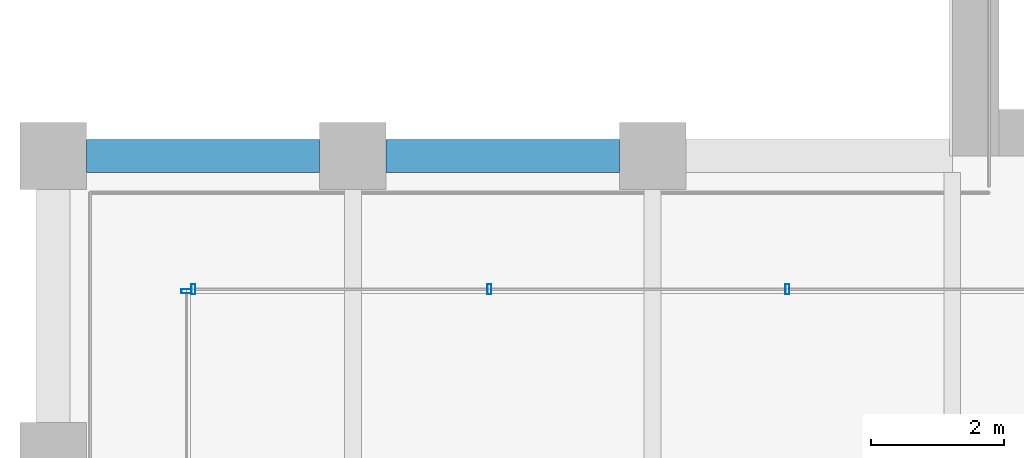
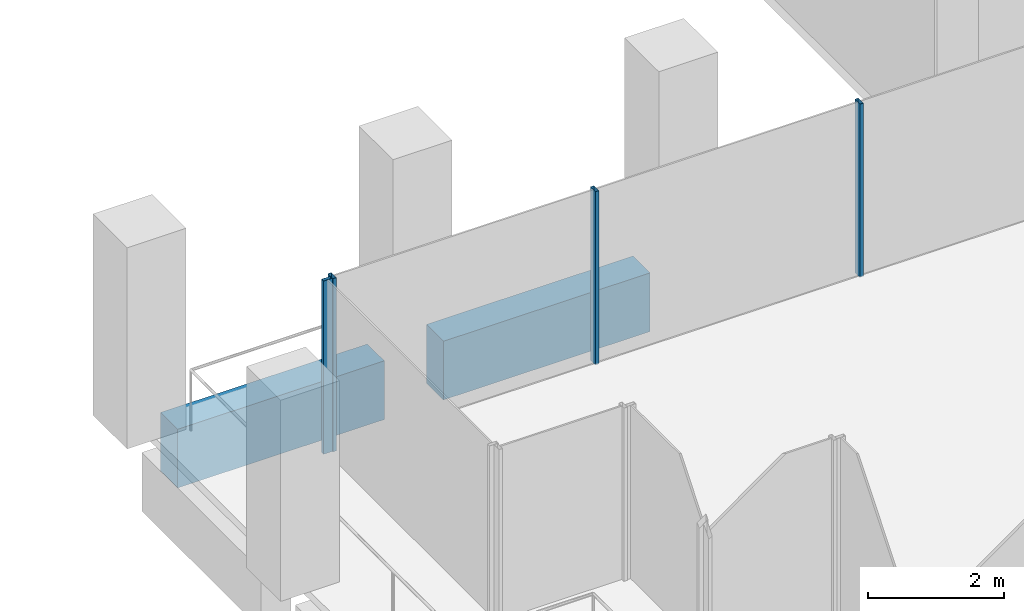
# One storey, part 5 of 46: 4 members, 2 beams, 2 elements without a shape of their own.
"""IFC4 building model written with IfcOpenShell, lengths in metres."""

from ifc_helpers import new_model, si_unit, direction, frame, origin, origin_2d, place, context, subcontext, project, spatial, rectangle, hollow_rectangle, extrude, material, material_profile, profile_set, type_object, element, aggregate, save


model = new_model("IFC4")

# Units and contexts
model_context = context("Model", 3, precision=1e-05, world=origin(), true_north=direction((0.0, 1.0)))
body_context = subcontext(model_context, "Body", "Model", "MODEL_VIEW")
ifc_project = project(units=[si_unit("LENGTHUNIT", "METRE"), si_unit("AREAUNIT", "SQUARE_METRE"), si_unit("VOLUMEUNIT", "CUBIC_METRE"), si_unit("PLANEANGLEUNIT", "RADIAN"), si_unit("MASSUNIT", "GRAM", prefix="KILO")], contexts=[model_context])

# Site, building, storey
site_placement = place(None, origin())
site = spatial("IfcSite", under=ifc_project, at=site_placement, CompositionType="ELEMENT")
building_placement = place(site_placement, origin())
building = spatial("IfcBuilding", under=site, at=building_placement, Name="Altepetl Exchange Towers", CompositionType="ELEMENT")
storey_placement = place(building_placement, frame((0.0, 0.0, 102.800048828125)))
storey = spatial("IfcBuildingStorey", under=building, at=storey_placement, Name="L25", CompositionType="ELEMENT", Elevation=102.800048828125)

# Curtain wall, members
ifc_material_1 = material(Name="Aluminium 6063-T6 glazing", Category="aluminium")
curtain_wall_type = type_object("IfcCurtainWallType", Name="Loggia glazing system", PredefinedType="NOTDEFINED", material=ifc_material_1)
curtain_wall_1_placement = place(storey_placement, origin())
curtain_wall_1 = element("IfcCurtainWall", 1, at=curtain_wall_1_placement, inside=storey, type_object=curtain_wall_type, Name="CW1 run", PredefinedType="NOTDEFINED")
ifc_material_2 = material(Name="Aluminium 6063-T6", Category="aluminium")
ifc_material_profile_1 = material_profile(ifc_material_2, hollow_rectangle(XDim=0.06005859375, YDim=0.14990234375, WallThickness=0.0029296875, at=origin_2d()), Name="Mullion 60x150 aluminium")
ifc_profile_set_1 = profile_set([ifc_material_profile_1], Name="Aluminium 6063-T6")
member_type = type_object("IfcMemberType", Name="Mullion 60x150 aluminium", PredefinedType="MULLION", material=ifc_profile_set_1)
member_1_placement = place(storey_placement, frame((38.02490234375, 38.5, 0.0), z_axis=(0.0, 0.0, 1.0), x_axis=(-1.0, 0.0, 0.0)))
member_1 = element("IfcMember", 2, at=member_1_placement, type_object=member_type, Name="MU1 mullion", PredefinedType="MULLION", context=body_context, shape_type="SweptSolid", body=[
    extrude(hollow_rectangle(XDim=0.06005859375, YDim=0.14990234375, WallThickness=0.0029296875, at=origin_2d()), origin(), (0.0, 0.0, 1.0), 3.099853515625),
])
member_2_placement = place(storey_placement, frame((33.550048828125, 38.5, 0.0), z_axis=(0.0, 0.0, 1.0), x_axis=(-1.0, 0.0, 0.0)))
member_2 = element("IfcMember", 3, at=member_2_placement, type_object=member_type, Name="MU1 mullion", PredefinedType="MULLION", context=body_context, shape_type="SweptSolid", body=[
    extrude(hollow_rectangle(XDim=0.06005859375, YDim=0.14990234375, WallThickness=0.0029296875, at=origin_2d()), origin(), (0.0, 0.0, 1.0), 3.099853515625),
])
member_3_placement = place(storey_placement, frame((29.10498046875, 38.5, 0.0), z_axis=(0.0, 0.0, 1.0), x_axis=(-1.0, 0.0, 0.0)))
member_3 = element("IfcMember", 4, at=member_3_placement, type_object=member_type, Name="MU1 mullion", PredefinedType="MULLION", context=body_context, shape_type="SweptSolid", body=[
    extrude(hollow_rectangle(XDim=0.06005859375, YDim=0.14990234375, WallThickness=0.0029296875, at=origin_2d()), origin(), (0.0, 0.0, 1.0), 3.099853515625),
])
aggregate(curtain_wall_1, [member_1, member_2, member_3])

# Curtain wall, member
curtain_wall_2_placement = place(storey_placement, origin())
curtain_wall_2 = element("IfcCurtainWall", 5, at=curtain_wall_2_placement, inside=storey, type_object=curtain_wall_type, Name="CW1 run", PredefinedType="NOTDEFINED")
member_4_placement = place(storey_placement, frame((29.0, 38.469970703125, 0.0), z_axis=(0.0, 0.0, 1.0), x_axis=(0.0, -1.0, 0.0)))
member_4 = element("IfcMember", 6, at=member_4_placement, type_object=member_type, Name="MU1 mullion", PredefinedType="MULLION", context=body_context, shape_type="SweptSolid", body=[
    extrude(hollow_rectangle(XDim=0.06005859375, YDim=0.14990234375, WallThickness=0.0029296875, at=origin_2d()), origin(), (0.0, 0.0, 1.0), 3.099853515625),
])
aggregate(curtain_wall_2, [member_4])

# Beams
ifc_material_3 = material(Name="Concrete C50/60 precast with tezontle facing", Category="concrete")
ifc_material_profile_2 = material_profile(ifc_material_3, rectangle(XDim=0.5, YDim=1.050048828125, at=origin_2d()), Name="500 x 1050")
ifc_profile_set_2 = profile_set([ifc_material_profile_2], Name="Concrete C50/60 precast with tezontle facing")
beam_type = type_object("IfcBeamType", Name="Spandrel beam 500x1050 tezontle", PredefinedType="SPANDREL", material=ifc_profile_set_2)
for number, where, z_axis, x_axis, name in (
    (7, (35.5, 40.5, -0.675048828125), (-1.0, 0.0, 0.0), (0.0, -1.0, 0.0), "sp:A:L25:034"),
    (8, (31.0, 40.5, -0.675048828125), (-1.0, 0.0, 0.0), (0.0, -1.0, 0.0), "sp:A:L25:035"),
):
    element("IfcBeam", number, at=place(storey_placement, frame(where, z_axis=z_axis, x_axis=x_axis)), inside=storey, type_object=beam_type, Name=name, PredefinedType="SPANDREL", context=body_context, shape_type="SweptSolid", body=[
        extrude(rectangle(XDim=0.5, YDim=1.050048828125, at=origin_2d()), origin(), (0.0, 0.0, 1.0), 3.5),
    ])

save(model, "model.ifc")
